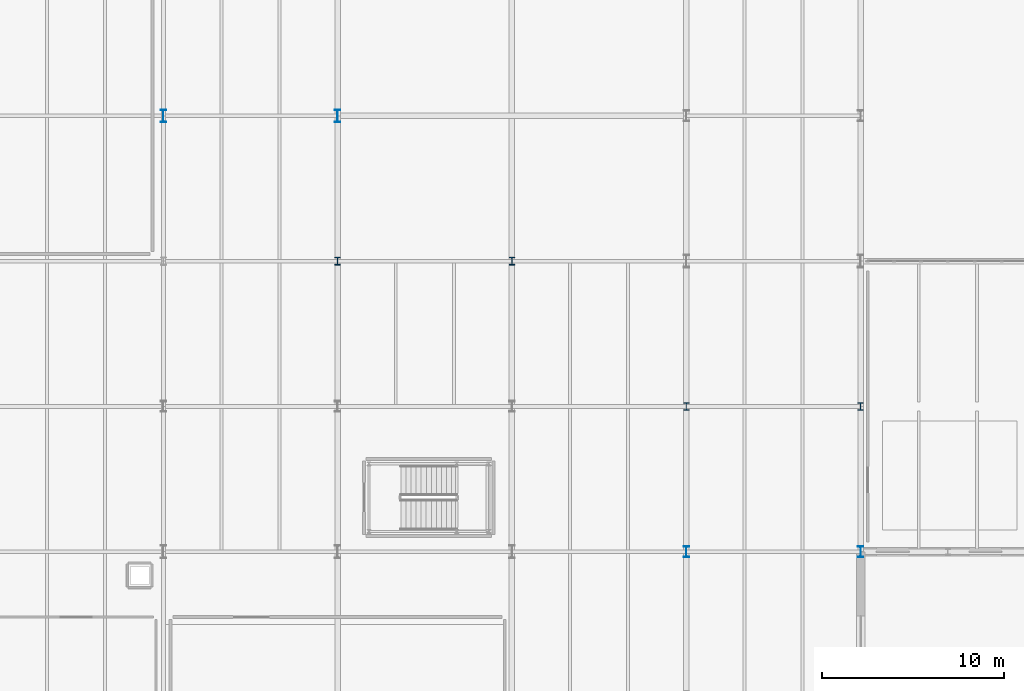
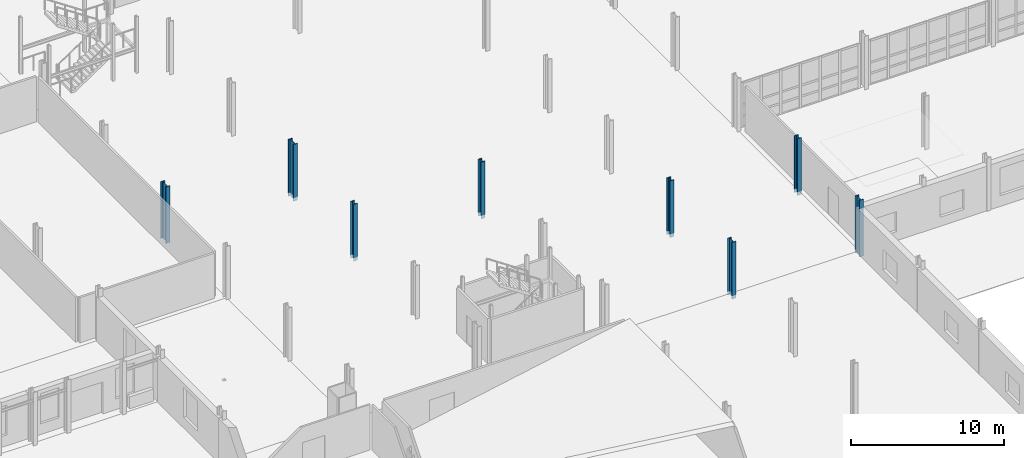
# One storey, part 7 of 78: 8 columns.
"""IFC4 building model written with IfcOpenShell, lengths in metres."""

from ifc_helpers import new_model, si_unit, direction, frame, origin, origin_2d, place, context, subcontext, project, spatial, i_section, extrude, material, material_profile, profile_set, type_object, element, save


model = new_model("IFC4")

# Units and contexts
model_context = context("Model", 3, precision=1e-05, world=origin(), true_north=direction((0.0, 1.0)))
body_context = subcontext(model_context, "Body", "Model", "MODEL_VIEW")
ifc_project = project(units=[si_unit("LENGTHUNIT", "METRE"), si_unit("AREAUNIT", "SQUARE_METRE"), si_unit("VOLUMEUNIT", "CUBIC_METRE"), si_unit("PLANEANGLEUNIT", "RADIAN"), si_unit("MASSUNIT", "GRAM", prefix="KILO")], contexts=[model_context])

# Site, building, storey
site_placement = place(None, origin())
site = spatial("IfcSite", under=ifc_project, at=site_placement, CompositionType="ELEMENT")
building_placement = place(site_placement, origin())
building = spatial("IfcBuilding", under=site, at=building_placement, Name="Alderhovde Museum", CompositionType="ELEMENT")
storey_placement = place(building_placement, origin())
storey = spatial("IfcBuildingStorey", under=building, at=storey_placement, Name="L00", CompositionType="ELEMENT", Elevation=0.0)

# Columns
ifc_material_1 = material(Name="Steel S355J2", Category="steel")
ifc_material_profile_1 = material_profile(ifc_material_1, i_section(OverallWidth=0.300048828125, OverallDepth=0.60009765625, WebThickness=0.015380859375, FlangeThickness=0.030029296875, FilletRadius=0.027099609375, at=origin_2d()), Name="HEB 600")
ifc_profile_set_1 = profile_set([ifc_material_profile_1], Name="Steel S355J2")
column_type_1 = type_object("IfcColumnType", Name="COL-HEB600", PredefinedType="COLUMN", material=ifc_profile_set_1)
for number, where, z_axis, x_axis, name in (
    (1, (105.60009765625, 32.0, -0.280029296875), (0.0, 0.0, 1.0), (1.0, 0.0, 0.0), "L00 Column (105.6, 32.0)"),
    (2, (115.199951171875, 32.0, -0.280029296875), (0.0, 0.0, 1.0), (1.0, 0.0, 0.0), "L00 Column (115.2, 32.0)"),
):
    element("IfcColumn", number, at=place(storey_placement, frame(where, z_axis=z_axis, x_axis=x_axis)), inside=storey, type_object=column_type_1, Name=name, PredefinedType="COLUMN", context=body_context, shape_type="SweptSolid", body=[
        extrude(i_section(OverallWidth=0.300048828125, OverallDepth=0.60009765625, WebThickness=0.015380859375, FlangeThickness=0.030029296875, FilletRadius=0.027099609375, at=origin_2d()), origin(), (0.0, 0.0, 1.0), 4.52001953125),
    ])
ifc_material_2 = material(Name="Steel S355J2", Category="steel")
ifc_material_profile_2 = material_profile(ifc_material_2, i_section(OverallWidth=0.300048828125, OverallDepth=0.699951171875, WebThickness=0.01708984375, FlangeThickness=0.031982421875, FilletRadius=0.027099609375, at=origin_2d()), Name="HEB 700")
ifc_profile_set_2 = profile_set([ifc_material_profile_2], Name="Steel S355J2")
column_type_2 = type_object("IfcColumnType", Name="COL-HEB700", PredefinedType="COLUMN", material=ifc_profile_set_2)
for number, where, z_axis, x_axis, name in (
    (3, (76.800048828125, 56.0, -0.280029296875), (0.0, 0.0, 1.0), (1.0, 0.0, 0.0), "L00 Column (76.8, 56.0)"),
    (4, (86.39990234375, 56.0, -0.280029296875), (0.0, 0.0, 1.0), (1.0, 0.0, 0.0), "L00 Column (86.4, 56.0)"),
):
    element("IfcColumn", number, at=place(storey_placement, frame(where, z_axis=z_axis, x_axis=x_axis)), inside=storey, type_object=column_type_2, Name=name, PredefinedType="COLUMN", context=body_context, shape_type="SweptSolid", body=[
        extrude(i_section(OverallWidth=0.300048828125, OverallDepth=0.699951171875, WebThickness=0.01708984375, FlangeThickness=0.031982421875, FilletRadius=0.027099609375, at=origin_2d()), origin(), (0.0, 0.0, 1.0), 4.52001953125),
    ])
ifc_material_3 = material(Name="Steel S355J2", Category="steel")
ifc_material_profile_3 = material_profile(ifc_material_3, i_section(OverallWidth=0.306884765625, OverallDepth=0.431884765625, WebThickness=0.02099609375, FlangeThickness=0.0400390625, FilletRadius=0.027099609375, at=origin_2d()), Name="HEM 400")
ifc_profile_set_3 = profile_set([ifc_material_profile_3], Name="Steel S355J2")
column_type_3 = type_object("IfcColumnType", Name="COL-HEM400", PredefinedType="COLUMN", material=ifc_profile_set_3)
for number, where, z_axis, x_axis, name in (
    (5, (86.39990234375, 48.0, -0.280029296875), (0.0, 0.0, 1.0), (1.0, 0.0, 0.0), "L00 Column (86.4, 48.0)"),
    (6, (96.0, 48.0, -0.280029296875), (0.0, 0.0, 1.0), (1.0, 0.0, 0.0), "L00 Column (96.0, 48.0)"),
    (7, (105.60009765625, 40.0, -0.280029296875), (0.0, 0.0, 1.0), (1.0, 0.0, 0.0), "L00 Column (105.6, 40.0)"),
    (8, (115.199951171875, 40.0, -0.280029296875), (0.0, 0.0, 1.0), (1.0, 0.0, 0.0), "L00 Column (115.2, 40.0)"),
):
    element("IfcColumn", number, at=place(storey_placement, frame(where, z_axis=z_axis, x_axis=x_axis)), inside=storey, type_object=column_type_3, Name=name, PredefinedType="COLUMN", context=body_context, shape_type="SweptSolid", body=[
        extrude(i_section(OverallWidth=0.306884765625, OverallDepth=0.431884765625, WebThickness=0.02099609375, FlangeThickness=0.0400390625, FilletRadius=0.027099609375, at=origin_2d()), origin(), (0.0, 0.0, 1.0), 4.52001953125),
    ])

save(model, "model.ifc")
